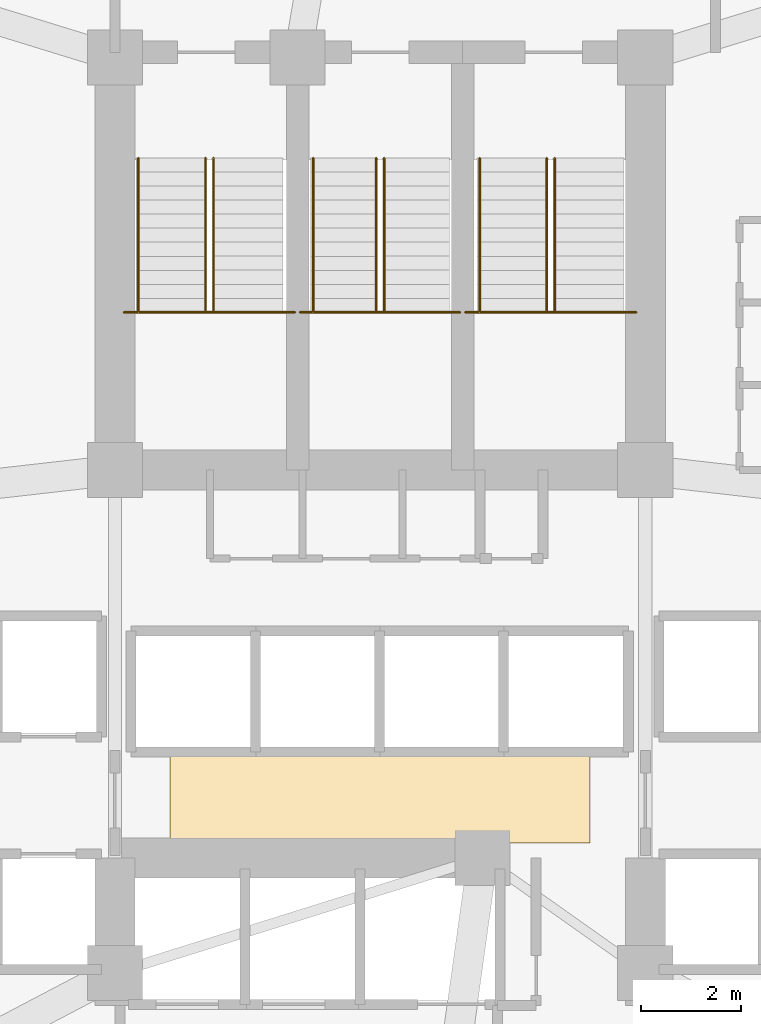
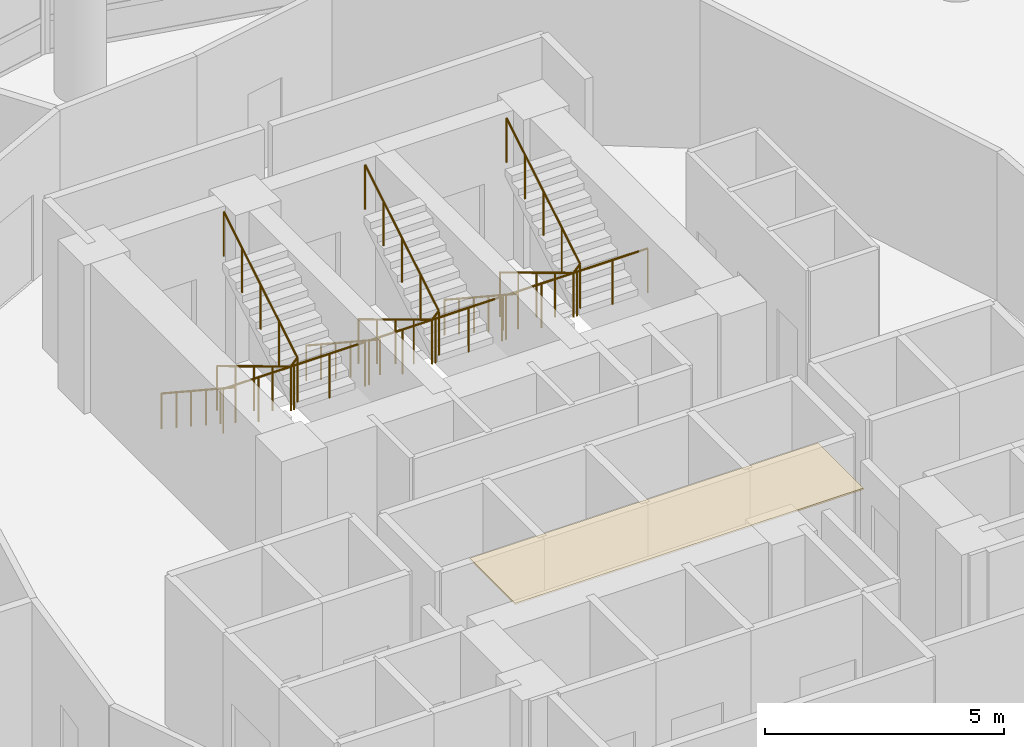
# One storey, part 36 of 37: 9 railings, 1 covering.
"""IFC4 building model written with IfcOpenShell, lengths in metres."""

from ifc_helpers import new_model, si_unit, direction, frame, origin, place, context, subcontext, project, spatial, polyline, outline, extrude, material, layer, layer_set, type_object, element, save


model = new_model("IFC4")

# Units and contexts
model_context = context("Model", 3, precision=1e-05, world=origin(), true_north=direction((0.0, 1.0)))
body_context = subcontext(model_context, "Body", "Model", "MODEL_VIEW")
ifc_project = project(units=[si_unit("LENGTHUNIT", "METRE"), si_unit("AREAUNIT", "SQUARE_METRE"), si_unit("VOLUMEUNIT", "CUBIC_METRE"), si_unit("PLANEANGLEUNIT", "RADIAN"), si_unit("MASSUNIT", "GRAM", prefix="KILO")], contexts=[model_context])

# Site, building, storey
site_placement = place(None, origin())
site = spatial("IfcSite", under=ifc_project, at=site_placement, CompositionType="ELEMENT")
building_placement = place(site_placement, origin())
building = spatial("IfcBuilding", under=site, at=building_placement, Name="Nuhasar Tower", CompositionType="ELEMENT")
storey_placement = place(building_placement, frame((0.0, 0.0, 21.0)))
storey = spatial("IfcBuildingStorey", under=building, at=storey_placement, Name="L04", CompositionType="ELEMENT", Elevation=21.0)

# Covering
ifc_material_1 = material(Name="Mineral Fibre Acoustic", Category="insulation")
ifc_layer = layer(ifc_material_1, 0.0400390625)
ifc_layer_set = layer_set([ifc_layer], Name="Mineral Fibre Acoustic")
covering_type = type_object("IfcCoveringType", Name="COV-CEIL-AC60", PredefinedType="CEILING", material=ifc_layer_set)
covering_placement = place(storey_placement, frame((0.0, 0.0, 3.75)))
element("IfcCovering", 1, at=covering_placement, inside=storey, type_object=covering_type, Name="L04 Lift Lobby Acoustic Ceiling", PredefinedType="CEILING", context=body_context, shape_type="SweptSolid", body=[
    extrude(outline(polyline([(34.800048828125, 21.60009765625), (43.199951171875, 21.60009765625), (43.199951171875, 23.5), (34.800048828125, 23.5), (34.800048828125, 21.60009765625)])), origin(), (0.0, 0.0, 1.0), 0.0400390625),
])

# Railings
ifc_material_2 = material(Name="Steel S355", Category="steel")
railing_type_1 = type_object("IfcRailingType", Name="RLG-STAIR-GUARD-1150", PredefinedType="GUARDRAIL", material=ifc_material_2)
railing_1_placement = place(storey_placement, frame((33.8798828125, 32.205078125, 2.02490234375)))
element("IfcRailing", 2, at=railing_1_placement, inside=storey, type_object=railing_type_1, Name="L04 Stair ST-01 Guardrail LND", PredefinedType="GUARDRAIL", context=body_context, shape_type="SweptSolid", body=[
    extrude(outline(polyline([(0.024169921875, 0.0), (0.01708984375, 0.01708984375), (0.0, 0.024169921875), (-0.01708984375, 0.01708984375), (-0.024169921875, 0.0), (-0.01708984375, -0.01708984375), (0.0, -0.024169921875), (0.01708984375, -0.01708984375), (0.024169921875, 0.0)])), frame((0.0, 0.0, 1.1259765625), z_axis=(1.0, 0.0, 0.0), x_axis=(0.0, 1.0, 0.0)), (0.0, 0.0, 1.0), 3.420166015625),
    extrude(outline(polyline([(0.02099609375, 0.0), (0.014892578125, 0.014892578125), (0.0, 0.02099609375), (-0.014892578125, 0.014892578125), (-0.02099609375, 0.0), (-0.014892578125, -0.014892578125), (0.0, -0.02099609375), (0.014892578125, -0.014892578125), (0.02099609375, 0.0)])), origin(), (0.0, 0.0, 1.0), 1.101806640625),
    extrude(outline(polyline([(0.02099609375, 0.0), (0.014892578125, 0.014892578125), (0.0, 0.02099609375), (-0.014892578125, 0.014892578125), (-0.02099609375, 0.0), (-0.014892578125, -0.014892578125), (0.0, -0.02099609375), (0.014892578125, -0.014892578125), (0.02099609375, 0.0)])), frame((0.85498046875, 0.0, 0.0)), (0.0, 0.0, 1.0), 1.101806640625),
    extrude(outline(polyline([(0.02099609375, 0.0), (0.014892578125, 0.014892578125), (0.0, 0.02099609375), (-0.014892578125, 0.014892578125), (-0.02099609375, 0.0), (-0.014892578125, -0.014892578125), (0.0, -0.02099609375), (0.014892578125, -0.014892578125), (0.02099609375, 0.0)])), frame((1.7099609375, 0.0, 0.0)), (0.0, 0.0, 1.0), 1.101806640625),
    extrude(outline(polyline([(0.02099609375, 0.0), (0.014892578125, 0.014892578125), (0.0, 0.02099609375), (-0.014892578125, 0.014892578125), (-0.02099609375, 0.0), (-0.014892578125, -0.014892578125), (0.0, -0.02099609375), (0.014892578125, -0.014892578125), (0.02099609375, 0.0)])), frame((2.565185546875, 0.0, 0.0)), (0.0, 0.0, 1.0), 1.101806640625),
    extrude(outline(polyline([(0.02099609375, 0.0), (0.014892578125, 0.014892578125), (0.0, 0.02099609375), (-0.014892578125, 0.014892578125), (-0.02099609375, 0.0), (-0.014892578125, -0.014892578125), (0.0, -0.02099609375), (0.014892578125, -0.014892578125), (0.02099609375, 0.0)])), frame((3.420166015625, 0.0, 0.0)), (0.0, 0.0, 1.0), 1.101806640625),
])
railing_2_placement = place(storey_placement, frame((35.510009765625, 35.284912109375, 0.1689453125)))
element("IfcRailing", 3, at=railing_2_placement, inside=storey, type_object=railing_type_1, Name="L04 Stair ST-01 Guardrail SLT", PredefinedType="GUARDRAIL", context=body_context, shape_type="SweptSolid", body=[
    extrude(outline(polyline([(0.024169921875, 0.0), (0.01708984375, 0.01708984375), (0.0, 0.024169921875), (-0.01708984375, 0.01708984375), (-0.024169921875, 0.0), (-0.01708984375, -0.01708984375), (0.0, -0.024169921875), (0.01708984375, -0.01708984375), (0.024169921875, 0.0)])), frame((0.0, 0.0, 1.1259765625), z_axis=(0.0, -0.856502863198, 0.516142272377), x_axis=(1.0, 0.0, 0.0)), (0.0, 0.0, 1.0), 3.595703125),
    extrude(outline(polyline([(0.024169921875, 0.0), (0.01708984375, 0.01708984375), (0.0, 0.024169921875), (-0.01708984375, 0.01708984375), (-0.024169921875, 0.0), (-0.01708984375, -0.01708984375), (0.0, -0.024169921875), (0.01708984375, -0.01708984375), (0.024169921875, 0.0)])), frame((0.0, -3.079833984375, 2.98193359375), z_axis=(0.686900628141, 0.0, 0.726751351605), x_axis=(0.0, 1.0, 0.0)), (0.0, 0.0, 1.0), 0.23291015625),
    extrude(outline(polyline([(0.024169921875, 0.0), (0.01708984375, 0.01708984375), (0.0, 0.024169921875), (-0.01708984375, 0.01708984375), (-0.024169921875, 0.0), (-0.01708984375, -0.01708984375), (0.0, -0.024169921875), (0.01708984375, -0.01708984375), (0.024169921875, 0.0)])), frame((0.159912109375, -3.079833984375, 3.15087890625), z_axis=(0.0, 0.856502863198, 0.516142272377), x_axis=(-1.0, 0.0, 0.0)), (0.0, 0.0, 1.0), 3.595703125),
    extrude(outline(polyline([(0.02099609375, 0.0), (0.014892578125, 0.014892578125), (0.0, 0.02099609375), (-0.014892578125, 0.014892578125), (-0.02099609375, 0.0), (-0.014892578125, -0.014892578125), (0.0, -0.02099609375), (0.014892578125, -0.014892578125), (0.02099609375, 0.0)])), origin(), (0.0, 0.0, 1.0), 1.101806640625),
    extrude(outline(polyline([(0.02099609375, 0.0), (0.014892578125, 0.014892578125), (0.0, 0.02099609375), (-0.014892578125, 0.014892578125), (-0.02099609375, 0.0), (-0.014892578125, -0.014892578125), (0.0, -0.02099609375), (0.014892578125, -0.014892578125), (0.02099609375, 0.0)])), frame((0.0, -0.77001953125, 0.4638671875)), (0.0, 0.0, 1.0), 1.101806640625),
    extrude(outline(polyline([(0.02099609375, 0.0), (0.014892578125, 0.014892578125), (0.0, 0.02099609375), (-0.014892578125, 0.014892578125), (-0.02099609375, 0.0), (-0.014892578125, -0.014892578125), (0.0, -0.02099609375), (0.014892578125, -0.014892578125), (0.02099609375, 0.0)])), frame((0.0, -1.5400390625, 0.927978515625)), (0.0, 0.0, 1.0), 1.101806640625),
    extrude(outline(polyline([(0.02099609375, 0.0), (0.014892578125, 0.014892578125), (0.0, 0.02099609375), (-0.014892578125, 0.014892578125), (-0.02099609375, 0.0), (-0.014892578125, -0.014892578125), (0.0, -0.02099609375), (0.014892578125, -0.014892578125), (0.02099609375, 0.0)])), frame((0.0, -2.309814453125, 1.39208984375)), (0.0, 0.0, 1.0), 1.101806640625),
    extrude(outline(polyline([(0.02099609375, 0.0), (0.014892578125, 0.014892578125), (0.0, 0.02099609375), (-0.014892578125, 0.014892578125), (-0.02099609375, 0.0), (-0.014892578125, -0.014892578125), (0.0, -0.02099609375), (0.014892578125, -0.014892578125), (0.02099609375, 0.0)])), frame((0.0, -3.079833984375, 1.85595703125)), (0.0, 0.0, 1.0), 1.101806640625),
    extrude(outline(polyline([(0.02099609375, 0.0), (0.014892578125, 0.014892578125), (0.0, 0.02099609375), (-0.014892578125, 0.014892578125), (-0.02099609375, 0.0), (-0.014892578125, -0.014892578125), (0.0, -0.02099609375), (0.014892578125, -0.014892578125), (0.02099609375, 0.0)])), frame((0.159912109375, -3.079833984375, 2.025146484375)), (0.0, 0.0, 1.0), 1.101806640625),
    extrude(outline(polyline([(0.02099609375, 0.0), (0.014892578125, 0.014892578125), (0.0, 0.02099609375), (-0.014892578125, 0.014892578125), (-0.02099609375, 0.0), (-0.014892578125, -0.014892578125), (0.0, -0.02099609375), (0.014892578125, -0.014892578125), (0.02099609375, 0.0)])), frame((0.159912109375, -2.309814453125, 2.4892578125)), (0.0, 0.0, 1.0), 1.101806640625),
    extrude(outline(polyline([(0.02099609375, 0.0), (0.014892578125, 0.014892578125), (0.0, 0.02099609375), (-0.014892578125, 0.014892578125), (-0.02099609375, 0.0), (-0.014892578125, -0.014892578125), (0.0, -0.02099609375), (0.014892578125, -0.014892578125), (0.02099609375, 0.0)])), frame((0.159912109375, -1.5400390625, 2.953125)), (0.0, 0.0, 1.0), 1.101806640625),
    extrude(outline(polyline([(0.02099609375, 0.0), (0.014892578125, 0.014892578125), (0.0, 0.02099609375), (-0.014892578125, 0.014892578125), (-0.02099609375, 0.0), (-0.014892578125, -0.014892578125), (0.0, -0.02099609375), (0.014892578125, -0.014892578125), (0.02099609375, 0.0)])), frame((0.159912109375, -0.77001953125, 3.4169921875)), (0.0, 0.0, 1.0), 1.101806640625),
    extrude(outline(polyline([(0.02099609375, 0.0), (0.014892578125, 0.014892578125), (0.0, 0.02099609375), (-0.014892578125, 0.014892578125), (-0.02099609375, 0.0), (-0.014892578125, -0.014892578125), (0.0, -0.02099609375), (0.014892578125, -0.014892578125), (0.02099609375, 0.0)])), frame((0.159912109375, 0.0, 3.881103515625)), (0.0, 0.0, 1.0), 1.101806640625),
])
railing_3_placement = place(storey_placement, frame((37.39990234375, 32.205078125, 2.02490234375)))
element("IfcRailing", 4, at=railing_3_placement, inside=storey, type_object=railing_type_1, Name="L04 Stair ST-03 Guardrail LND", PredefinedType="GUARDRAIL", context=body_context, shape_type="SweptSolid", body=[
    extrude(outline(polyline([(0.024169921875, 0.0), (0.01708984375, 0.01708984375), (0.0, 0.024169921875), (-0.01708984375, 0.01708984375), (-0.024169921875, 0.0), (-0.01708984375, -0.01708984375), (0.0, -0.024169921875), (0.01708984375, -0.01708984375), (0.024169921875, 0.0)])), frame((0.0, 0.0, 1.1259765625), z_axis=(1.0, 0.0, 0.0), x_axis=(0.0, 1.0, 0.0)), (0.0, 0.0, 1.0), 3.2001953125),
    extrude(outline(polyline([(0.02099609375, 0.0), (0.014892578125, 0.014892578125), (0.0, 0.02099609375), (-0.014892578125, 0.014892578125), (-0.02099609375, 0.0), (-0.014892578125, -0.014892578125), (0.0, -0.02099609375), (0.014892578125, -0.014892578125), (0.02099609375, 0.0)])), origin(), (0.0, 0.0, 1.0), 1.101806640625),
    extrude(outline(polyline([(0.02099609375, 0.0), (0.014892578125, 0.014892578125), (0.0, 0.02099609375), (-0.014892578125, 0.014892578125), (-0.02099609375, 0.0), (-0.014892578125, -0.014892578125), (0.0, -0.02099609375), (0.014892578125, -0.014892578125), (0.02099609375, 0.0)])), frame((0.800048828125, 0.0, 0.0)), (0.0, 0.0, 1.0), 1.101806640625),
    extrude(outline(polyline([(0.02099609375, 0.0), (0.014892578125, 0.014892578125), (0.0, 0.02099609375), (-0.014892578125, 0.014892578125), (-0.02099609375, 0.0), (-0.014892578125, -0.014892578125), (0.0, -0.02099609375), (0.014892578125, -0.014892578125), (0.02099609375, 0.0)])), frame((1.60009765625, 0.0, 0.0)), (0.0, 0.0, 1.0), 1.101806640625),
    extrude(outline(polyline([(0.02099609375, 0.0), (0.014892578125, 0.014892578125), (0.0, 0.02099609375), (-0.014892578125, 0.014892578125), (-0.02099609375, 0.0), (-0.014892578125, -0.014892578125), (0.0, -0.02099609375), (0.014892578125, -0.014892578125), (0.02099609375, 0.0)])), frame((2.400146484375, 0.0, 0.0)), (0.0, 0.0, 1.0), 1.101806640625),
    extrude(outline(polyline([(0.02099609375, 0.0), (0.014892578125, 0.014892578125), (0.0, 0.02099609375), (-0.014892578125, 0.014892578125), (-0.02099609375, 0.0), (-0.014892578125, -0.014892578125), (0.0, -0.02099609375), (0.014892578125, -0.014892578125), (0.02099609375, 0.0)])), frame((3.2001953125, 0.0, 0.0)), (0.0, 0.0, 1.0), 1.101806640625),
])
railing_4_placement = place(storey_placement, frame((38.919921875, 35.284912109375, 0.1689453125)))
element("IfcRailing", 5, at=railing_4_placement, inside=storey, type_object=railing_type_1, Name="L04 Stair ST-03 Guardrail SLT", PredefinedType="GUARDRAIL", context=body_context, shape_type="SweptSolid", body=[
    extrude(outline(polyline([(0.024169921875, 0.0), (0.01708984375, 0.01708984375), (0.0, 0.024169921875), (-0.01708984375, 0.01708984375), (-0.024169921875, 0.0), (-0.01708984375, -0.01708984375), (0.0, -0.024169921875), (0.01708984375, -0.01708984375), (0.024169921875, 0.0)])), frame((0.0, 0.0, 1.1259765625), z_axis=(0.0, -0.856502863198, 0.516142272377), x_axis=(1.0, 0.0, 0.0)), (0.0, 0.0, 1.0), 3.595703125),
    extrude(outline(polyline([(0.024169921875, 0.0), (0.01708984375, 0.01708984375), (0.0, 0.024169921875), (-0.01708984375, 0.01708984375), (-0.024169921875, 0.0), (-0.01708984375, -0.01708984375), (0.0, -0.024169921875), (0.01708984375, -0.01708984375), (0.024169921875, 0.0)])), frame((0.0, -3.079833984375, 2.98193359375), z_axis=(0.687453921059, 0.0, 0.726227998924), x_axis=(0.0, 1.0, 0.0)), (0.0, 0.0, 1.0), 0.23291015625),
    extrude(outline(polyline([(0.024169921875, 0.0), (0.01708984375, 0.01708984375), (0.0, 0.024169921875), (-0.01708984375, 0.01708984375), (-0.024169921875, 0.0), (-0.01708984375, -0.01708984375), (0.0, -0.024169921875), (0.01708984375, -0.01708984375), (0.024169921875, 0.0)])), frame((0.16015625, -3.079833984375, 3.15087890625), z_axis=(0.0, 0.856502863198, 0.516142272377), x_axis=(-1.0, 0.0, 0.0)), (0.0, 0.0, 1.0), 3.595703125),
    extrude(outline(polyline([(0.02099609375, 0.0), (0.014892578125, 0.014892578125), (0.0, 0.02099609375), (-0.014892578125, 0.014892578125), (-0.02099609375, 0.0), (-0.014892578125, -0.014892578125), (0.0, -0.02099609375), (0.014892578125, -0.014892578125), (0.02099609375, 0.0)])), origin(), (0.0, 0.0, 1.0), 1.101806640625),
    extrude(outline(polyline([(0.02099609375, 0.0), (0.014892578125, 0.014892578125), (0.0, 0.02099609375), (-0.014892578125, 0.014892578125), (-0.02099609375, 0.0), (-0.014892578125, -0.014892578125), (0.0, -0.02099609375), (0.014892578125, -0.014892578125), (0.02099609375, 0.0)])), frame((0.0, -0.77001953125, 0.4638671875)), (0.0, 0.0, 1.0), 1.101806640625),
    extrude(outline(polyline([(0.02099609375, 0.0), (0.014892578125, 0.014892578125), (0.0, 0.02099609375), (-0.014892578125, 0.014892578125), (-0.02099609375, 0.0), (-0.014892578125, -0.014892578125), (0.0, -0.02099609375), (0.014892578125, -0.014892578125), (0.02099609375, 0.0)])), frame((0.0, -1.5400390625, 0.927978515625)), (0.0, 0.0, 1.0), 1.101806640625),
    extrude(outline(polyline([(0.02099609375, 0.0), (0.014892578125, 0.014892578125), (0.0, 0.02099609375), (-0.014892578125, 0.014892578125), (-0.02099609375, 0.0), (-0.014892578125, -0.014892578125), (0.0, -0.02099609375), (0.014892578125, -0.014892578125), (0.02099609375, 0.0)])), frame((0.0, -2.309814453125, 1.39208984375)), (0.0, 0.0, 1.0), 1.101806640625),
    extrude(outline(polyline([(0.02099609375, 0.0), (0.014892578125, 0.014892578125), (0.0, 0.02099609375), (-0.014892578125, 0.014892578125), (-0.02099609375, 0.0), (-0.014892578125, -0.014892578125), (0.0, -0.02099609375), (0.014892578125, -0.014892578125), (0.02099609375, 0.0)])), frame((0.0, -3.079833984375, 1.85595703125)), (0.0, 0.0, 1.0), 1.101806640625),
    extrude(outline(polyline([(0.02099609375, 0.0), (0.014892578125, 0.014892578125), (0.0, 0.02099609375), (-0.014892578125, 0.014892578125), (-0.02099609375, 0.0), (-0.014892578125, -0.014892578125), (0.0, -0.02099609375), (0.014892578125, -0.014892578125), (0.02099609375, 0.0)])), frame((0.16015625, -3.079833984375, 2.025146484375)), (0.0, 0.0, 1.0), 1.101806640625),
    extrude(outline(polyline([(0.02099609375, 0.0), (0.014892578125, 0.014892578125), (0.0, 0.02099609375), (-0.014892578125, 0.014892578125), (-0.02099609375, 0.0), (-0.014892578125, -0.014892578125), (0.0, -0.02099609375), (0.014892578125, -0.014892578125), (0.02099609375, 0.0)])), frame((0.16015625, -2.309814453125, 2.4892578125)), (0.0, 0.0, 1.0), 1.101806640625),
    extrude(outline(polyline([(0.02099609375, 0.0), (0.014892578125, 0.014892578125), (0.0, 0.02099609375), (-0.014892578125, 0.014892578125), (-0.02099609375, 0.0), (-0.014892578125, -0.014892578125), (0.0, -0.02099609375), (0.014892578125, -0.014892578125), (0.02099609375, 0.0)])), frame((0.16015625, -1.5400390625, 2.953125)), (0.0, 0.0, 1.0), 1.101806640625),
    extrude(outline(polyline([(0.02099609375, 0.0), (0.014892578125, 0.014892578125), (0.0, 0.02099609375), (-0.014892578125, 0.014892578125), (-0.02099609375, 0.0), (-0.014892578125, -0.014892578125), (0.0, -0.02099609375), (0.014892578125, -0.014892578125), (0.02099609375, 0.0)])), frame((0.16015625, -0.77001953125, 3.4169921875)), (0.0, 0.0, 1.0), 1.101806640625),
    extrude(outline(polyline([(0.02099609375, 0.0), (0.014892578125, 0.014892578125), (0.0, 0.02099609375), (-0.014892578125, 0.014892578125), (-0.02099609375, 0.0), (-0.014892578125, -0.014892578125), (0.0, -0.02099609375), (0.014892578125, -0.014892578125), (0.02099609375, 0.0)])), frame((0.16015625, 0.0, 3.881103515625)), (0.0, 0.0, 1.0), 1.101806640625),
])
railing_5_placement = place(storey_placement, frame((40.699951171875, 32.205078125, 2.02490234375)))
element("IfcRailing", 6, at=railing_5_placement, inside=storey, type_object=railing_type_1, Name="L04 Stair ST-02 Guardrail LND", PredefinedType="GUARDRAIL", context=body_context, shape_type="SweptSolid", body=[
    extrude(outline(polyline([(0.024169921875, 0.0), (0.01708984375, 0.01708984375), (0.0, 0.024169921875), (-0.01708984375, 0.01708984375), (-0.024169921875, 0.0), (-0.01708984375, -0.01708984375), (0.0, -0.024169921875), (0.01708984375, -0.01708984375), (0.024169921875, 0.0)])), frame((0.0, 0.0, 1.1259765625), z_axis=(1.0, 0.0, 0.0), x_axis=(0.0, 1.0, 0.0)), (0.0, 0.0, 1.0), 3.420166015625),
    extrude(outline(polyline([(0.02099609375, 0.0), (0.014892578125, 0.014892578125), (0.0, 0.02099609375), (-0.014892578125, 0.014892578125), (-0.02099609375, 0.0), (-0.014892578125, -0.014892578125), (0.0, -0.02099609375), (0.014892578125, -0.014892578125), (0.02099609375, 0.0)])), origin(), (0.0, 0.0, 1.0), 1.101806640625),
    extrude(outline(polyline([(0.02099609375, 0.0), (0.014892578125, 0.014892578125), (0.0, 0.02099609375), (-0.014892578125, 0.014892578125), (-0.02099609375, 0.0), (-0.014892578125, -0.014892578125), (0.0, -0.02099609375), (0.014892578125, -0.014892578125), (0.02099609375, 0.0)])), frame((0.85498046875, 0.0, 0.0)), (0.0, 0.0, 1.0), 1.101806640625),
    extrude(outline(polyline([(0.02099609375, 0.0), (0.014892578125, 0.014892578125), (0.0, 0.02099609375), (-0.014892578125, 0.014892578125), (-0.02099609375, 0.0), (-0.014892578125, -0.014892578125), (0.0, -0.02099609375), (0.014892578125, -0.014892578125), (0.02099609375, 0.0)])), frame((1.7099609375, 0.0, 0.0)), (0.0, 0.0, 1.0), 1.101806640625),
    extrude(outline(polyline([(0.02099609375, 0.0), (0.014892578125, 0.014892578125), (0.0, 0.02099609375), (-0.014892578125, 0.014892578125), (-0.02099609375, 0.0), (-0.014892578125, -0.014892578125), (0.0, -0.02099609375), (0.014892578125, -0.014892578125), (0.02099609375, 0.0)])), frame((2.565185546875, 0.0, 0.0)), (0.0, 0.0, 1.0), 1.101806640625),
    extrude(outline(polyline([(0.02099609375, 0.0), (0.014892578125, 0.014892578125), (0.0, 0.02099609375), (-0.014892578125, 0.014892578125), (-0.02099609375, 0.0), (-0.014892578125, -0.014892578125), (0.0, -0.02099609375), (0.014892578125, -0.014892578125), (0.02099609375, 0.0)])), frame((3.420166015625, 0.0, 0.0)), (0.0, 0.0, 1.0), 1.101806640625),
])
railing_6_placement = place(storey_placement, frame((42.330078125, 35.284912109375, 0.1689453125)))
element("IfcRailing", 7, at=railing_6_placement, inside=storey, type_object=railing_type_1, Name="L04 Stair ST-02 Guardrail SLT", PredefinedType="GUARDRAIL", context=body_context, shape_type="SweptSolid", body=[
    extrude(outline(polyline([(0.024169921875, 0.0), (0.01708984375, 0.01708984375), (0.0, 0.024169921875), (-0.01708984375, 0.01708984375), (-0.024169921875, 0.0), (-0.01708984375, -0.01708984375), (0.0, -0.024169921875), (0.01708984375, -0.01708984375), (0.024169921875, 0.0)])), frame((0.0, 0.0, 1.1259765625), z_axis=(0.0, -0.856502863198, 0.516142272377), x_axis=(1.0, 0.0, 0.0)), (0.0, 0.0, 1.0), 3.595703125),
    extrude(outline(polyline([(0.024169921875, 0.0), (0.01708984375, 0.01708984375), (0.0, 0.024169921875), (-0.01708984375, 0.01708984375), (-0.024169921875, 0.0), (-0.01708984375, -0.01708984375), (0.0, -0.024169921875), (0.01708984375, -0.01708984375), (0.024169921875, 0.0)])), frame((0.0, -3.079833984375, 2.98193359375), z_axis=(0.686900628141, 0.0, 0.726751351605), x_axis=(0.0, 1.0, 0.0)), (0.0, 0.0, 1.0), 0.23291015625),
    extrude(outline(polyline([(0.024169921875, 0.0), (0.01708984375, 0.01708984375), (0.0, 0.024169921875), (-0.01708984375, 0.01708984375), (-0.024169921875, 0.0), (-0.01708984375, -0.01708984375), (0.0, -0.024169921875), (0.01708984375, -0.01708984375), (0.024169921875, 0.0)])), frame((0.159912109375, -3.079833984375, 3.15087890625), z_axis=(0.0, 0.856502863198, 0.516142272377), x_axis=(-1.0, 0.0, 0.0)), (0.0, 0.0, 1.0), 3.595703125),
    extrude(outline(polyline([(0.02099609375, 0.0), (0.014892578125, 0.014892578125), (0.0, 0.02099609375), (-0.014892578125, 0.014892578125), (-0.02099609375, 0.0), (-0.014892578125, -0.014892578125), (0.0, -0.02099609375), (0.014892578125, -0.014892578125), (0.02099609375, 0.0)])), origin(), (0.0, 0.0, 1.0), 1.101806640625),
    extrude(outline(polyline([(0.02099609375, 0.0), (0.014892578125, 0.014892578125), (0.0, 0.02099609375), (-0.014892578125, 0.014892578125), (-0.02099609375, 0.0), (-0.014892578125, -0.014892578125), (0.0, -0.02099609375), (0.014892578125, -0.014892578125), (0.02099609375, 0.0)])), frame((0.0, -0.77001953125, 0.4638671875)), (0.0, 0.0, 1.0), 1.101806640625),
    extrude(outline(polyline([(0.02099609375, 0.0), (0.014892578125, 0.014892578125), (0.0, 0.02099609375), (-0.014892578125, 0.014892578125), (-0.02099609375, 0.0), (-0.014892578125, -0.014892578125), (0.0, -0.02099609375), (0.014892578125, -0.014892578125), (0.02099609375, 0.0)])), frame((0.0, -1.5400390625, 0.927978515625)), (0.0, 0.0, 1.0), 1.101806640625),
    extrude(outline(polyline([(0.02099609375, 0.0), (0.014892578125, 0.014892578125), (0.0, 0.02099609375), (-0.014892578125, 0.014892578125), (-0.02099609375, 0.0), (-0.014892578125, -0.014892578125), (0.0, -0.02099609375), (0.014892578125, -0.014892578125), (0.02099609375, 0.0)])), frame((0.0, -2.309814453125, 1.39208984375)), (0.0, 0.0, 1.0), 1.101806640625),
    extrude(outline(polyline([(0.02099609375, 0.0), (0.014892578125, 0.014892578125), (0.0, 0.02099609375), (-0.014892578125, 0.014892578125), (-0.02099609375, 0.0), (-0.014892578125, -0.014892578125), (0.0, -0.02099609375), (0.014892578125, -0.014892578125), (0.02099609375, 0.0)])), frame((0.0, -3.079833984375, 1.85595703125)), (0.0, 0.0, 1.0), 1.101806640625),
    extrude(outline(polyline([(0.02099609375, 0.0), (0.014892578125, 0.014892578125), (0.0, 0.02099609375), (-0.014892578125, 0.014892578125), (-0.02099609375, 0.0), (-0.014892578125, -0.014892578125), (0.0, -0.02099609375), (0.014892578125, -0.014892578125), (0.02099609375, 0.0)])), frame((0.159912109375, -3.079833984375, 2.025146484375)), (0.0, 0.0, 1.0), 1.101806640625),
    extrude(outline(polyline([(0.02099609375, 0.0), (0.014892578125, 0.014892578125), (0.0, 0.02099609375), (-0.014892578125, 0.014892578125), (-0.02099609375, 0.0), (-0.014892578125, -0.014892578125), (0.0, -0.02099609375), (0.014892578125, -0.014892578125), (0.02099609375, 0.0)])), frame((0.159912109375, -2.309814453125, 2.4892578125)), (0.0, 0.0, 1.0), 1.101806640625),
    extrude(outline(polyline([(0.02099609375, 0.0), (0.014892578125, 0.014892578125), (0.0, 0.02099609375), (-0.014892578125, 0.014892578125), (-0.02099609375, 0.0), (-0.014892578125, -0.014892578125), (0.0, -0.02099609375), (0.014892578125, -0.014892578125), (0.02099609375, 0.0)])), frame((0.159912109375, -1.5400390625, 2.953125)), (0.0, 0.0, 1.0), 1.101806640625),
    extrude(outline(polyline([(0.02099609375, 0.0), (0.014892578125, 0.014892578125), (0.0, 0.02099609375), (-0.014892578125, 0.014892578125), (-0.02099609375, 0.0), (-0.014892578125, -0.014892578125), (0.0, -0.02099609375), (0.014892578125, -0.014892578125), (0.02099609375, 0.0)])), frame((0.159912109375, -0.77001953125, 3.4169921875)), (0.0, 0.0, 1.0), 1.101806640625),
    extrude(outline(polyline([(0.02099609375, 0.0), (0.014892578125, 0.014892578125), (0.0, 0.02099609375), (-0.014892578125, 0.014892578125), (-0.02099609375, 0.0), (-0.014892578125, -0.014892578125), (0.0, -0.02099609375), (0.014892578125, -0.014892578125), (0.02099609375, 0.0)])), frame((0.159912109375, 0.0, 3.881103515625)), (0.0, 0.0, 1.0), 1.101806640625),
])
ifc_material_3 = material(Name="Stainless Steel 316L", Category="steel")
railing_type_2 = type_object("IfcRailingType", Name="RLG-STAIR-HAND-920", PredefinedType="HANDRAIL", material=ifc_material_3)
railing_7_placement = place(storey_placement, frame((34.169921875, 35.284912109375, 0.1689453125)))
element("IfcRailing", 8, at=railing_7_placement, inside=storey, type_object=railing_type_2, Name="L04 Stair ST-01 Handrail HND1", PredefinedType="HANDRAIL", context=body_context, shape_type="SweptSolid", body=[
    extrude(outline(polyline([(0.024169921875, 0.0), (0.01708984375, 0.01708984375), (0.0, 0.024169921875), (-0.01708984375, 0.01708984375), (-0.024169921875, 0.0), (-0.01708984375, -0.01708984375), (0.0, -0.024169921875), (0.01708984375, -0.01708984375), (0.024169921875, 0.0)])), frame((0.0, 0.0, 0.89599609375), z_axis=(0.0, -0.835549111106, 0.549415765091), x_axis=(1.0, 0.0, 0.0)), (0.0, 0.0, 1.0), 3.68603515625),
    extrude(outline(polyline([(0.02099609375, 0.0), (0.014892578125, 0.014892578125), (0.0, 0.02099609375), (-0.014892578125, 0.014892578125), (-0.02099609375, 0.0), (-0.014892578125, -0.014892578125), (0.0, -0.02099609375), (0.014892578125, -0.014892578125), (0.02099609375, 0.0)])), origin(), (0.0, 0.0, 1.0), 0.871826171875),
    extrude(outline(polyline([(0.02099609375, 0.0), (0.014892578125, 0.014892578125), (0.0, 0.02099609375), (-0.014892578125, 0.014892578125), (-0.02099609375, 0.0), (-0.014892578125, -0.014892578125), (0.0, -0.02099609375), (0.014892578125, -0.014892578125), (0.02099609375, 0.0)])), frame((0.0, -0.615966796875, 0.405029296875)), (0.0, 0.0, 1.0), 0.871826171875),
    extrude(outline(polyline([(0.02099609375, 0.0), (0.014892578125, 0.014892578125), (0.0, 0.02099609375), (-0.014892578125, 0.014892578125), (-0.02099609375, 0.0), (-0.014892578125, -0.014892578125), (0.0, -0.02099609375), (0.014892578125, -0.014892578125), (0.02099609375, 0.0)])), frame((0.0, -1.23193359375, 0.81005859375)), (0.0, 0.0, 1.0), 0.871826171875),
    extrude(outline(polyline([(0.02099609375, 0.0), (0.014892578125, 0.014892578125), (0.0, 0.02099609375), (-0.014892578125, 0.014892578125), (-0.02099609375, 0.0), (-0.014892578125, -0.014892578125), (0.0, -0.02099609375), (0.014892578125, -0.014892578125), (0.02099609375, 0.0)])), frame((0.0, -1.847900390625, 1.215087890625)), (0.0, 0.0, 1.0), 0.871826171875),
    extrude(outline(polyline([(0.02099609375, 0.0), (0.014892578125, 0.014892578125), (0.0, 0.02099609375), (-0.014892578125, 0.014892578125), (-0.02099609375, 0.0), (-0.014892578125, -0.014892578125), (0.0, -0.02099609375), (0.014892578125, -0.014892578125), (0.02099609375, 0.0)])), frame((0.0, -2.4638671875, 1.6201171875)), (0.0, 0.0, 1.0), 0.871826171875),
    extrude(outline(polyline([(0.02099609375, 0.0), (0.014892578125, 0.014892578125), (0.0, 0.02099609375), (-0.014892578125, 0.014892578125), (-0.02099609375, 0.0), (-0.014892578125, -0.014892578125), (0.0, -0.02099609375), (0.014892578125, -0.014892578125), (0.02099609375, 0.0)])), frame((0.0, -3.079833984375, 2.025146484375)), (0.0, 0.0, 1.0), 0.871826171875),
])
railing_8_placement = place(storey_placement, frame((37.659912109375, 35.284912109375, 0.1689453125)))
element("IfcRailing", 9, at=railing_8_placement, inside=storey, type_object=railing_type_2, Name="L04 Stair ST-03 Handrail HND1", PredefinedType="HANDRAIL", context=body_context, shape_type="SweptSolid", body=[
    extrude(outline(polyline([(0.024169921875, 0.0), (0.01708984375, 0.01708984375), (0.0, 0.024169921875), (-0.01708984375, 0.01708984375), (-0.024169921875, 0.0), (-0.01708984375, -0.01708984375), (0.0, -0.024169921875), (0.01708984375, -0.01708984375), (0.024169921875, 0.0)])), frame((0.0, 0.0, 0.89599609375), z_axis=(0.0, -0.835549111106, 0.549415765091), x_axis=(1.0, 0.0, 0.0)), (0.0, 0.0, 1.0), 3.68603515625),
    extrude(outline(polyline([(0.02099609375, 0.0), (0.014892578125, 0.014892578125), (0.0, 0.02099609375), (-0.014892578125, 0.014892578125), (-0.02099609375, 0.0), (-0.014892578125, -0.014892578125), (0.0, -0.02099609375), (0.014892578125, -0.014892578125), (0.02099609375, 0.0)])), origin(), (0.0, 0.0, 1.0), 0.871826171875),
    extrude(outline(polyline([(0.02099609375, 0.0), (0.014892578125, 0.014892578125), (0.0, 0.02099609375), (-0.014892578125, 0.014892578125), (-0.02099609375, 0.0), (-0.014892578125, -0.014892578125), (0.0, -0.02099609375), (0.014892578125, -0.014892578125), (0.02099609375, 0.0)])), frame((0.0, -0.615966796875, 0.405029296875)), (0.0, 0.0, 1.0), 0.871826171875),
    extrude(outline(polyline([(0.02099609375, 0.0), (0.014892578125, 0.014892578125), (0.0, 0.02099609375), (-0.014892578125, 0.014892578125), (-0.02099609375, 0.0), (-0.014892578125, -0.014892578125), (0.0, -0.02099609375), (0.014892578125, -0.014892578125), (0.02099609375, 0.0)])), frame((0.0, -1.23193359375, 0.81005859375)), (0.0, 0.0, 1.0), 0.871826171875),
    extrude(outline(polyline([(0.02099609375, 0.0), (0.014892578125, 0.014892578125), (0.0, 0.02099609375), (-0.014892578125, 0.014892578125), (-0.02099609375, 0.0), (-0.014892578125, -0.014892578125), (0.0, -0.02099609375), (0.014892578125, -0.014892578125), (0.02099609375, 0.0)])), frame((0.0, -1.847900390625, 1.215087890625)), (0.0, 0.0, 1.0), 0.871826171875),
    extrude(outline(polyline([(0.02099609375, 0.0), (0.014892578125, 0.014892578125), (0.0, 0.02099609375), (-0.014892578125, 0.014892578125), (-0.02099609375, 0.0), (-0.014892578125, -0.014892578125), (0.0, -0.02099609375), (0.014892578125, -0.014892578125), (0.02099609375, 0.0)])), frame((0.0, -2.4638671875, 1.6201171875)), (0.0, 0.0, 1.0), 0.871826171875),
    extrude(outline(polyline([(0.02099609375, 0.0), (0.014892578125, 0.014892578125), (0.0, 0.02099609375), (-0.014892578125, 0.014892578125), (-0.02099609375, 0.0), (-0.014892578125, -0.014892578125), (0.0, -0.02099609375), (0.014892578125, -0.014892578125), (0.02099609375, 0.0)])), frame((0.0, -3.079833984375, 2.025146484375)), (0.0, 0.0, 1.0), 0.871826171875),
])
railing_9_placement = place(storey_placement, frame((40.989990234375, 35.284912109375, 0.1689453125)))
element("IfcRailing", 10, at=railing_9_placement, inside=storey, type_object=railing_type_2, Name="L04 Stair ST-02 Handrail HND1", PredefinedType="HANDRAIL", context=body_context, shape_type="SweptSolid", body=[
    extrude(outline(polyline([(0.024169921875, 0.0), (0.01708984375, 0.01708984375), (0.0, 0.024169921875), (-0.01708984375, 0.01708984375), (-0.024169921875, 0.0), (-0.01708984375, -0.01708984375), (0.0, -0.024169921875), (0.01708984375, -0.01708984375), (0.024169921875, 0.0)])), frame((0.0, 0.0, 0.89599609375), z_axis=(0.0, -0.835549111106, 0.549415765091), x_axis=(1.0, 0.0, 0.0)), (0.0, 0.0, 1.0), 3.68603515625),
    extrude(outline(polyline([(0.02099609375, 0.0), (0.014892578125, 0.014892578125), (0.0, 0.02099609375), (-0.014892578125, 0.014892578125), (-0.02099609375, 0.0), (-0.014892578125, -0.014892578125), (0.0, -0.02099609375), (0.014892578125, -0.014892578125), (0.02099609375, 0.0)])), origin(), (0.0, 0.0, 1.0), 0.871826171875),
    extrude(outline(polyline([(0.02099609375, 0.0), (0.014892578125, 0.014892578125), (0.0, 0.02099609375), (-0.014892578125, 0.014892578125), (-0.02099609375, 0.0), (-0.014892578125, -0.014892578125), (0.0, -0.02099609375), (0.014892578125, -0.014892578125), (0.02099609375, 0.0)])), frame((0.0, -0.615966796875, 0.405029296875)), (0.0, 0.0, 1.0), 0.871826171875),
    extrude(outline(polyline([(0.02099609375, 0.0), (0.014892578125, 0.014892578125), (0.0, 0.02099609375), (-0.014892578125, 0.014892578125), (-0.02099609375, 0.0), (-0.014892578125, -0.014892578125), (0.0, -0.02099609375), (0.014892578125, -0.014892578125), (0.02099609375, 0.0)])), frame((0.0, -1.23193359375, 0.81005859375)), (0.0, 0.0, 1.0), 0.871826171875),
    extrude(outline(polyline([(0.02099609375, 0.0), (0.014892578125, 0.014892578125), (0.0, 0.02099609375), (-0.014892578125, 0.014892578125), (-0.02099609375, 0.0), (-0.014892578125, -0.014892578125), (0.0, -0.02099609375), (0.014892578125, -0.014892578125), (0.02099609375, 0.0)])), frame((0.0, -1.847900390625, 1.215087890625)), (0.0, 0.0, 1.0), 0.871826171875),
    extrude(outline(polyline([(0.02099609375, 0.0), (0.014892578125, 0.014892578125), (0.0, 0.02099609375), (-0.014892578125, 0.014892578125), (-0.02099609375, 0.0), (-0.014892578125, -0.014892578125), (0.0, -0.02099609375), (0.014892578125, -0.014892578125), (0.02099609375, 0.0)])), frame((0.0, -2.4638671875, 1.6201171875)), (0.0, 0.0, 1.0), 0.871826171875),
    extrude(outline(polyline([(0.02099609375, 0.0), (0.014892578125, 0.014892578125), (0.0, 0.02099609375), (-0.014892578125, 0.014892578125), (-0.02099609375, 0.0), (-0.014892578125, -0.014892578125), (0.0, -0.02099609375), (0.014892578125, -0.014892578125), (0.02099609375, 0.0)])), frame((0.0, -3.079833984375, 2.025146484375)), (0.0, 0.0, 1.0), 0.871826171875),
])

save(model, "model.ifc")
